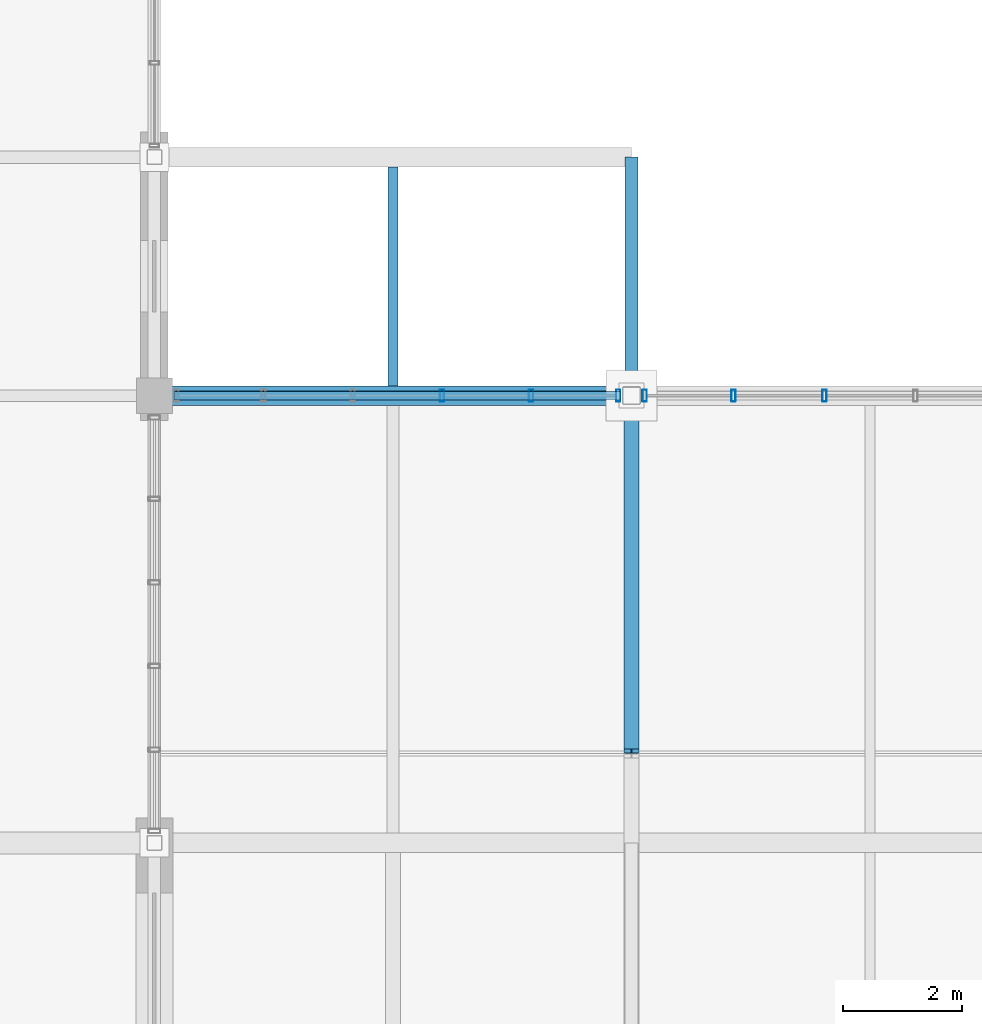
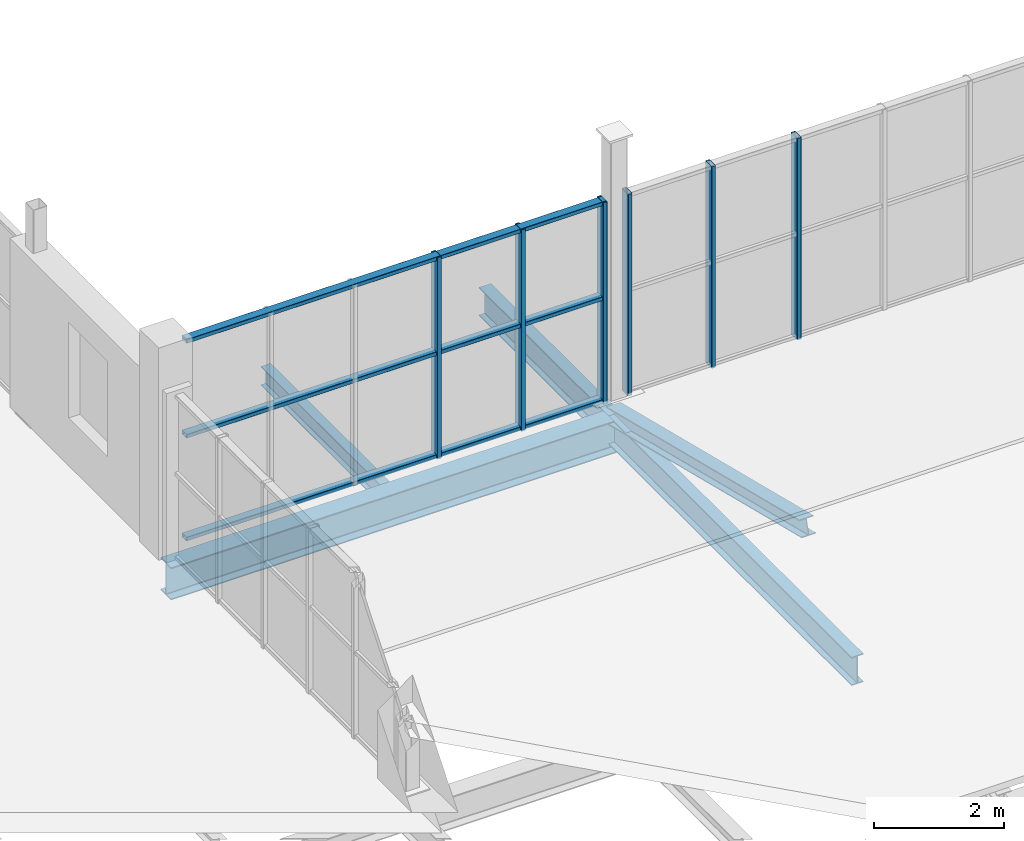
# One storey, part 21 of 96: 10 members, 4 beams, 2 elements without a shape of their own.
"""IFC4 building model written with IfcOpenShell, lengths in metres."""

import ifcopenshell
import ifcopenshell.guid

model = None  # the IFC model being written
_history = None  # IfcOwnerHistory: only IFC2X3 demands one
_inside = {}  # id of a spatial element -> (the spatial element, [elements in it])
_under = {}  # id of a project, library or spatial element -> (it, [spatial elements below it])
_declared = {}  # id of a project -> (the project, [libraries it declares])
_typed = {}  # id of a type object -> (the type object, [elements of that type])
_made_of = {}  # id of a material, layer set ... -> (it, [elements and type objects made of it])


def new_model(schema):
    """Start an empty IFC model of exactly this schema.

    Asked for "IFC4X3", IfcOpenShell would pick the latest addendum, in which some entities
    have other attributes; the version numbers below select the first issue.
    IFC2X3 requires an IfcOwnerHistory on every rooted entity: one is made here for all.
    """
    global model, _history
    if schema == "IFC4X3":
        model = ifcopenshell.file(schema_version=(4, 3, 0, 0))
    else:
        model = ifcopenshell.file(schema=schema)
    _inside.clear()
    _under.clear()
    _declared.clear()
    _typed.clear()
    _made_of.clear()
    _history = None
    if model.schema == "IFC2X3":
        org = make("IfcOrganization", Name="unknown")
        user = make(
            "IfcPersonAndOrganization",
            ThePerson=make("IfcPerson", FamilyName="unknown"),
            TheOrganization=org,
        )
        app = make(
            "IfcApplication",
            ApplicationDeveloper=org,
            Version="unknown",
            ApplicationFullName="unknown",
            ApplicationIdentifier="unknown",
        )
        _history = make(
            "IfcOwnerHistory",
            OwningUser=user,
            OwningApplication=app,
            ChangeAction="ADDED",
            CreationDate=0,
        )
    return model


def make(cls, **values):
    """One entity of the class cls with the attributes given. An attribute that is None is left unset."""
    return model.create_entity(
        cls, **{name: value for name, value in values.items() if value is not None}
    )


def rooted(cls, **values):
    """An entity with a GlobalId (a new one), such as an element, a storey or a relation."""
    return make(cls, GlobalId=ifcopenshell.guid.new(), OwnerHistory=_history, **values)


def si_unit(unit_type, name, prefix=None):
    """IfcSIUnit, for example si_unit("LENGTHUNIT", "METRE", prefix="MILLI")."""
    return make("IfcSIUnit", UnitType=unit_type, Prefix=prefix, Name=name)


def assignment(units):
    """IfcUnitAssignment: the units of a project."""
    return None if units is None else make("IfcUnitAssignment", Units=units)


def point(xyz):
    """IfcCartesianPoint."""
    return None if xyz is None else make("IfcCartesianPoint", Coordinates=xyz)


def direction(xyz):
    """IfcDirection."""
    return None if xyz is None else make("IfcDirection", DirectionRatios=xyz)


def frame(location, z_axis=None, x_axis=None):
    """IfcAxis2Placement3D, a coordinate frame: its origin and axes. An axis left out is left unset."""
    return make(
        "IfcAxis2Placement3D",
        Location=point(location),
        Axis=direction(z_axis),
        RefDirection=direction(x_axis),
    )


def frame_2d(location, x_axis=None):
    """IfcAxis2Placement2D, a coordinate frame in the plane: its origin and x axis."""
    return make(
        "IfcAxis2Placement2D", Location=point(location), RefDirection=direction(x_axis)
    )


def origin():
    """The frame at (0, 0, 0) with its axes left unset."""
    return frame((0.0, 0.0, 0.0))


def origin_2d():
    """The frame at (0, 0) in the plane with its x axis left unset."""
    return frame_2d((0.0, 0.0))


def place(relative_to, where):
    """IfcLocalPlacement: puts the frame where relative to a parent placement (None: the world)."""
    return make(
        "IfcLocalPlacement", PlacementRelTo=relative_to, RelativePlacement=where
    )


def context(
    kind, dimensions, precision=None, world=None, true_north=None, identifier=None
):
    """IfcGeometricRepresentationContext, for example the 3D "Model" context."""
    return make(
        "IfcGeometricRepresentationContext",
        ContextIdentifier=identifier,
        ContextType=kind,
        CoordinateSpaceDimension=dimensions,
        Precision=precision,
        WorldCoordinateSystem=world,
        TrueNorth=true_north,
    )


def subcontext(parent, identifier, kind, view, scale=None):
    """IfcGeometricRepresentationSubContext, for example "Body" below "Model"."""
    return make(
        "IfcGeometricRepresentationSubContext",
        ContextIdentifier=identifier,
        ContextType=kind,
        ParentContext=parent,
        TargetScale=scale,
        TargetView=view,
    )


def project(units=None, contexts=None):
    """IfcProject with its units and contexts."""
    return rooted(
        "IfcProject",
        Name="project",
        RepresentationContexts=contexts,
        UnitsInContext=assignment(units),
    )


def spatial(cls, under=None, at=None, **own):
    """A site, building, storey or space (cls), placed at a placement, below another one or the project."""
    s = rooted(cls, ObjectPlacement=at, **own)
    if under is not None:
        _under.setdefault(under.id(), (under, []))[1].append(s)
    return s


def profile(cls, at=None, kind="AREA", **sizes):
    """A parametric profile (cls). Its sizes go by their IFC names, for example OverallWidth=200.0."""
    return make(cls, ProfileType=kind, Position=at, **sizes)


def hollow_rectangle(**sizes):
    """IfcRectangleHollowProfileDef."""
    return profile("IfcRectangleHollowProfileDef", **sizes)


def i_section(**sizes):
    """IfcIShapeProfileDef."""
    return profile("IfcIShapeProfileDef", **sizes)


def extrude(swept, where, along, depth):
    """IfcExtrudedAreaSolid: the profile swept, set in the frame where, extruded along a direction by depth."""
    return make(
        "IfcExtrudedAreaSolid",
        SweptArea=swept,
        Position=where,
        ExtrudedDirection=direction(along),
        Depth=depth,
    )


def shape(context_of_items, identifier, shape_type, items):
    """IfcShapeRepresentation: the items that make up one representation, for example the "Body"."""
    return make(
        "IfcShapeRepresentation",
        ContextOfItems=context_of_items,
        RepresentationIdentifier=identifier,
        RepresentationType=shape_type,
        Items=items,
    )


def material(Name=None, Category=None):
    """IfcMaterial."""
    return make("IfcMaterial", Name=Name, Category=Category)


def material_profile(
    of_material, cross_section, Name=None, Category=None, Priority=None
):
    """IfcMaterialProfile: a cross section and its material."""
    return make(
        "IfcMaterialProfile",
        Name=Name,
        Material=of_material,
        Profile=cross_section,
        Priority=Priority,
        Category=Category,
    )


def profile_set(profiles, Name=None, composite=None):
    """IfcMaterialProfileSet."""
    return make(
        "IfcMaterialProfileSet",
        Name=Name,
        MaterialProfiles=profiles,
        CompositeProfile=composite,
    )


def made_of(thing, what):
    """Note that an element or type object is made of a material, layer set ...; save() writes the relation."""
    if what is not None:
        _made_of.setdefault(what.id(), (what, []))[1].append(thing)
    return thing


def type_object(cls, material=None, **own):
    """A type object (cls), such as IfcWallType, which elements share."""
    return made_of(rooted(cls, **own), material)


def element(
    cls,
    number,
    at=None,
    inside=None,
    cuts=None,
    type_object=None,
    material=None,
    context=None,
    identifier="Body",
    shape_type=None,
    held_by="IfcProductDefinitionShape",
    body=None,
    shapes=None,
    **own,
):
    """One element of the class cls, such as IfcWall. Its Tag is "e" and its number.

    at: its placement. inside: the storey or other place that contains it. cuts: it is an
    opening in that element (IfcRelVoidsElement). A single representation is given by context,
    identifier, shape_type and body (its items); several are given by shapes. held_by: the class
    of the entity that holds the representations. save() writes the other relations.
    """
    e = rooted(cls, Tag="e%d" % number, ObjectPlacement=at, **own)
    if body is not None:
        shapes = [shape(context, identifier, shape_type, body)]
    if shapes is not None:
        e.Representation = make(held_by, Representations=shapes)
    if inside is not None:
        _inside.setdefault(inside.id(), (inside, []))[1].append(e)
    if cuts is not None:
        rooted(
            "IfcRelVoidsElement", RelatingBuildingElement=cuts, RelatedOpeningElement=e
        )
    if type_object is not None:
        _typed.setdefault(type_object.id(), (type_object, []))[1].append(e)
    return made_of(e, material)


def aggregate(whole, parts):
    """IfcRelAggregates: a whole, such as a stair, and the parts it consists of."""
    return rooted("IfcRelAggregates", RelatingObject=whole, RelatedObjects=parts)


def save(model, path):
    """Write the relations noted so far, then the file.

    IfcRelAggregates (storeys below a building ...), IfcRelContainedInSpatialStructure (elements
    in a storey), IfcRelDefinesByType, IfcRelAssociatesMaterial and IfcRelDeclares: one each for
    every whole, place, type object, material and project.
    """
    for whole, parts in _under.values():
        aggregate(whole, parts)
    for where, things in _inside.values():
        rooted(
            "IfcRelContainedInSpatialStructure",
            RelatedElements=things,
            RelatingStructure=where,
        )
    for kind, things in _typed.values():
        rooted("IfcRelDefinesByType", RelatedObjects=things, RelatingType=kind)
    for what, things in _made_of.values():
        rooted("IfcRelAssociatesMaterial", RelatedObjects=things, RelatingMaterial=what)
    for by, libraries in _declared.values():
        rooted("IfcRelDeclares", RelatingContext=by, RelatedDefinitions=libraries)
    model.write(path)


model = new_model("IFC4")

# Units and contexts
model_context = context("Model", 3, precision=1e-05, world=origin(), true_north=direction((0.0, 1.0)))
body_context = subcontext(model_context, "Body", "Model", "MODEL_VIEW")
ifc_project = project(units=[si_unit("LENGTHUNIT", "METRE"), si_unit("AREAUNIT", "SQUARE_METRE"), si_unit("VOLUMEUNIT", "CUBIC_METRE"), si_unit("PLANEANGLEUNIT", "RADIAN"), si_unit("MASSUNIT", "GRAM", prefix="KILO")], contexts=[model_context])

# Site, building, storey
site_placement = place(None, origin())
site = spatial("IfcSite", under=ifc_project, at=site_placement, CompositionType="ELEMENT")
building_placement = place(site_placement, origin())
building = spatial("IfcBuilding", under=site, at=building_placement, Name="Verrall Gate Interchange", CompositionType="ELEMENT")
storey_placement = place(building_placement, frame((0.0, 0.0, 11.39990234375)))
storey = spatial("IfcBuildingStorey", under=building, at=storey_placement, Name="L03", CompositionType="ELEMENT", Elevation=11.39990234375)

# Beams
ifc_material_1 = material(Name="Structural Steel CSA G40.21 350WT Cat 4", Category="steel")
ifc_material_profile_1 = material_profile(ifc_material_1, i_section(OverallWidth=0.323974609375, OverallDepth=0.611083984375, WebThickness=0.0126953125, FlangeThickness=0.01904296875, FilletRadius=0.014892578125, at=origin_2d()), Name="W610x155")
ifc_profile_set_1 = profile_set([ifc_material_profile_1], Name="Structural Steel CSA G40.21 350WT Cat 4")
beam_type_1 = type_object("IfcBeamType", Name="B-08 Structural Beam W610x155", PredefinedType="BEAM", material=ifc_profile_set_1)
beam_1_placement = place(storey_placement, frame((36.0, 12.0, -0.635498046875), z_axis=(1.0, 0.0, 0.0), x_axis=(0.0, 1.0, 0.0)))
element("IfcBeam", 1, at=beam_1_placement, inside=storey, type_object=beam_type_1, Name="L03 Girder BM-L03-2012 (B-08)", PredefinedType="BEAM", context=body_context, shape_type="SweptSolid", body=[
    extrude(i_section(OverallWidth=0.323974609375, OverallDepth=0.611083984375, WebThickness=0.0126953125, FlangeThickness=0.01904296875, FilletRadius=0.014892578125, at=origin_2d()), origin(), (0.0, 0.0, 1.0), 8.0),
])
ifc_material_2 = material(Name="Structural Steel CSA G40.21 350W", Category="steel")
ifc_material_profile_2 = material_profile(ifc_material_2, i_section(OverallWidth=0.2109375, OverallDepth=0.5390625, WebThickness=0.01171875, FlangeThickness=0.018798828125, FilletRadius=0.013916015625, at=origin_2d()), Name="W530x109")
ifc_profile_set_2 = profile_set([ifc_material_profile_2], Name="Structural Steel CSA G40.21 350W")
beam_type_2 = type_object("IfcBeamType", Name="B-10 Structural Beam W530x109", PredefinedType="BEAM", material=ifc_profile_set_2)
beam_2_placement = place(storey_placement, frame((44.0, 4.5, -0.599365234375), z_axis=(0.0, 1.0, 0.0), x_axis=(-1.0, 0.0, 0.0)))
element("IfcBeam", 2, at=beam_2_placement, inside=storey, type_object=beam_type_2, Name="L03 Girder BM-L03-2273 (B-10)", PredefinedType="BEAM", context=body_context, shape_type="SweptSolid", body=[
    extrude(i_section(OverallWidth=0.2109375, OverallDepth=0.5390625, WebThickness=0.01171875, FlangeThickness=0.018798828125, FilletRadius=0.013916015625, at=origin_2d()), origin(), (0.0, 0.0, 1.0), 7.5),
])
beam_3_placement = place(storey_placement, frame((44.0, 12.0, -0.599365234375), z_axis=(0.0, 1.0, 0.0), x_axis=(-1.0, 0.0, 0.0)))
element("IfcBeam", 3, at=beam_3_placement, inside=storey, type_object=beam_type_2, Name="L03 Girder BM-L03-2274 (B-10)", PredefinedType="BEAM", context=body_context, shape_type="SweptSolid", body=[
    extrude(i_section(OverallWidth=0.2109375, OverallDepth=0.5390625, WebThickness=0.01171875, FlangeThickness=0.018798828125, FilletRadius=0.013916015625, at=origin_2d()), origin(), (0.0, 0.0, 1.0), 4.0),
])

# Curtain wall, members
ifc_material_3 = material(Name="Thermally Broken Anodized Aluminium Curtain Wall Framing", Category="aluminium")
curtain_wall_type_1 = type_object("IfcCurtainWallType", Name="CW-52 Unitized Curtain Wall 7484x3800", PredefinedType="NOTDEFINED", material=ifc_material_3)
curtain_wall_1_placement = place(storey_placement, origin())
curtain_wall_1 = element("IfcCurtainWall", 4, at=curtain_wall_1_placement, inside=storey, type_object=curtain_wall_type_1, Name="L03 Unitized Curtain Wall CW-L03-CLR-164", PredefinedType="NOTDEFINED")
ifc_material_4 = material(Name="Thermally Broken Anodized Aluminium Curtain Wall Framing", Category="aluminium")
ifc_material_profile_3 = material_profile(ifc_material_4, hollow_rectangle(XDim=0.074951171875, YDim=0.199951171875, WallThickness=0.0048828125, InnerFilletRadius=0.0048828125, OuterFilletRadius=0.010009765625, at=origin_2d()), Name="CWM200x75x5")
ifc_profile_set_3 = profile_set([ifc_material_profile_3], Name="Thermally Broken Anodized Aluminium Curtain Wall Framing")
member_type_1 = type_object("IfcMemberType", Name="CM-02 Curtain Mullion CWM200x75x5", PredefinedType="MULLION", material=ifc_profile_set_3)
member_1_placement = place(storey_placement, frame((40.822021484375, 12.0, 0.0), z_axis=(0.0, 0.0, 1.0), x_axis=(1.0, 0.0, 0.0)))
member_1 = element("IfcMember", 5, at=member_1_placement, type_object=member_type_1, Name="CW-L03-CLR-164 Mullion 4", PredefinedType="MULLION", context=body_context, shape_type="SweptSolid", body=[
    extrude(hollow_rectangle(XDim=0.074951171875, YDim=0.199951171875, WallThickness=0.0048828125, InnerFilletRadius=0.0048828125, OuterFilletRadius=0.010009765625, at=origin_2d()), origin(), (0.0, 0.0, 1.0), 3.800048828125),
])
member_2_placement = place(storey_placement, frame((42.31884765625, 12.0, 0.0), z_axis=(0.0, 0.0, 1.0), x_axis=(1.0, 0.0, 0.0)))
member_2 = element("IfcMember", 6, at=member_2_placement, type_object=member_type_1, Name="CW-L03-CLR-164 Mullion 5", PredefinedType="MULLION", context=body_context, shape_type="SweptSolid", body=[
    extrude(hollow_rectangle(XDim=0.074951171875, YDim=0.199951171875, WallThickness=0.0048828125, InnerFilletRadius=0.0048828125, OuterFilletRadius=0.010009765625, at=origin_2d()), origin(), (0.0, 0.0, 1.0), 3.800048828125),
])
member_3_placement = place(storey_placement, frame((43.778076171875, 12.0, 0.0), z_axis=(0.0, 0.0, 1.0), x_axis=(1.0, 0.0, 0.0)))
member_3 = element("IfcMember", 7, at=member_3_placement, type_object=member_type_1, Name="CW-L03-CLR-164 Mullion 6", PredefinedType="MULLION", context=body_context, shape_type="SweptSolid", body=[
    extrude(hollow_rectangle(XDim=0.074951171875, YDim=0.199951171875, WallThickness=0.0048828125, InnerFilletRadius=0.0048828125, OuterFilletRadius=0.010009765625, at=origin_2d()), origin(), (0.0, 0.0, 1.0), 3.800048828125),
])

ifc_material_5 = material(Name="Thermally Broken Anodized Aluminium Curtain Wall Framing", Category="aluminium")
curtain_wall_type_2 = type_object("IfcCurtainWallType", Name="CW-53 Unitized Curtain Wall 7631x3800", PredefinedType="NOTDEFINED", material=ifc_material_5)
curtain_wall_2_placement = place(storey_placement, origin())
curtain_wall_2 = element("IfcCurtainWall", 8, at=curtain_wall_2_placement, inside=storey, type_object=curtain_wall_type_2, Name="L03 Unitized Curtain Wall CW-L03-CLR-165", PredefinedType="NOTDEFINED")
member_4_placement = place(storey_placement, frame((44.221923828125, 12.0, 0.0), z_axis=(0.0, 0.0, 1.0), x_axis=(1.0, 0.0, 0.0)))
member_4 = element("IfcMember", 9, at=member_4_placement, type_object=member_type_1, Name="CW-L03-CLR-165 Mullion 1", PredefinedType="MULLION", context=body_context, shape_type="SweptSolid", body=[
    extrude(hollow_rectangle(XDim=0.074951171875, YDim=0.199951171875, WallThickness=0.0048828125, InnerFilletRadius=0.0048828125, OuterFilletRadius=0.010009765625, at=origin_2d()), origin(), (0.0, 0.0, 1.0), 3.800048828125),
])
member_5_placement = place(storey_placement, frame((45.710693359375, 12.0, 0.0), z_axis=(0.0, 0.0, 1.0), x_axis=(1.0, 0.0, 0.0)))
member_5 = element("IfcMember", 10, at=member_5_placement, type_object=member_type_1, Name="CW-L03-CLR-165 Mullion 2", PredefinedType="MULLION", context=body_context, shape_type="SweptSolid", body=[
    extrude(hollow_rectangle(XDim=0.074951171875, YDim=0.199951171875, WallThickness=0.0048828125, InnerFilletRadius=0.0048828125, OuterFilletRadius=0.010009765625, at=origin_2d()), origin(), (0.0, 0.0, 1.0), 3.800048828125),
])
member_6_placement = place(storey_placement, frame((47.23681640625, 12.0, 0.0), z_axis=(0.0, 0.0, 1.0), x_axis=(1.0, 0.0, 0.0)))
member_6 = element("IfcMember", 11, at=member_6_placement, type_object=member_type_1, Name="CW-L03-CLR-165 Mullion 3", PredefinedType="MULLION", context=body_context, shape_type="SweptSolid", body=[
    extrude(hollow_rectangle(XDim=0.074951171875, YDim=0.199951171875, WallThickness=0.0048828125, InnerFilletRadius=0.0048828125, OuterFilletRadius=0.010009765625, at=origin_2d()), origin(), (0.0, 0.0, 1.0), 3.800048828125),
])
aggregate(curtain_wall_2, [member_4, member_5, member_6])

# Member
ifc_material_6 = material(Name="Thermally Broken Anodized Aluminium Curtain Wall Framing", Category="aluminium")
ifc_material_profile_4 = material_profile(ifc_material_6, hollow_rectangle(XDim=0.14990234375, YDim=0.074951171875, WallThickness=0.00439453125, InnerFilletRadius=0.00439453125, OuterFilletRadius=0.009033203125, at=origin_2d()), Name="CWT150x75x4.5")
ifc_profile_set_4 = profile_set([ifc_material_profile_4], Name="Thermally Broken Anodized Aluminium Curtain Wall Framing")
member_type_2 = type_object("IfcMemberType", Name="CT-02 Curtain Transom CWT150x75x4.5", PredefinedType="USERDEFINED", material=ifc_profile_set_4)
member_7_placement = place(storey_placement, frame((36.33203125, 12.0, 0.03759765625), z_axis=(1.0, 0.0, 0.0), x_axis=(0.0, 1.0, 0.0)))
member_7 = element("IfcMember", 12, at=member_7_placement, type_object=member_type_2, Name="CW-L03-CLR-164 Transom 1", ObjectType="TRANSOM", PredefinedType="USERDEFINED", context=body_context, shape_type="SweptSolid", body=[
    extrude(hollow_rectangle(XDim=0.14990234375, YDim=0.074951171875, WallThickness=0.00439453125, InnerFilletRadius=0.00439453125, OuterFilletRadius=0.009033203125, at=origin_2d()), origin(), (0.0, 0.0, 1.0), 7.4833984375),
])

member_8_placement = place(storey_placement, frame((36.33203125, 12.0, 1.97607421875), z_axis=(1.0, 0.0, 0.0), x_axis=(0.0, 1.0, 0.0)))
member_8 = element("IfcMember", 13, at=member_8_placement, type_object=member_type_2, Name="CW-L03-CLR-164 Transom 2", ObjectType="TRANSOM", PredefinedType="USERDEFINED", context=body_context, shape_type="SweptSolid", body=[
    extrude(hollow_rectangle(XDim=0.14990234375, YDim=0.074951171875, WallThickness=0.00439453125, InnerFilletRadius=0.00439453125, OuterFilletRadius=0.009033203125, at=origin_2d()), origin(), (0.0, 0.0, 1.0), 7.4833984375),
])

member_9_placement = place(storey_placement, frame((36.33203125, 12.0, 3.7626953125), z_axis=(1.0, 0.0, 0.0), x_axis=(0.0, 1.0, 0.0)))
member_9 = element("IfcMember", 14, at=member_9_placement, type_object=member_type_2, Name="CW-L03-CLR-164 Transom 3", ObjectType="TRANSOM", PredefinedType="USERDEFINED", context=body_context, shape_type="SweptSolid", body=[
    extrude(hollow_rectangle(XDim=0.14990234375, YDim=0.074951171875, WallThickness=0.00439453125, InnerFilletRadius=0.00439453125, OuterFilletRadius=0.009033203125, at=origin_2d()), origin(), (0.0, 0.0, 1.0), 7.4833984375),
])

aggregate(curtain_wall_1, [member_1, member_2, member_3, member_7, member_8, member_9])

# Beam
ifc_material_7 = material(Name="Structural Steel CSA G40.21 350W", Category="steel")
ifc_material_profile_5 = material_profile(ifc_material_7, i_section(OverallWidth=0.172119140625, OverallDepth=0.35791015625, WebThickness=0.0078125, FlangeThickness=0.01318359375, FilletRadius=0.010986328125, at=origin_2d()), Name="W360x57")
ifc_profile_set_5 = profile_set([ifc_material_profile_5], Name="Structural Steel CSA G40.21 350W")
beam_type_3 = type_object("IfcBeamType", Name="J-01 Floor Joist W360x57", PredefinedType="JOIST", material=ifc_profile_set_5)
beam_4_placement = place(storey_placement, frame((40.0, 12.162109375, -0.5087890625), z_axis=(0.0, 1.0, 0.0), x_axis=(-1.0, 0.0, 0.0)))
element("IfcBeam", 15, at=beam_4_placement, inside=storey, type_object=beam_type_3, Name="L03 Secondary Floor Joist JST-L03-2411", PredefinedType="JOIST", context=body_context, shape_type="SweptSolid", body=[
    extrude(i_section(OverallWidth=0.172119140625, OverallDepth=0.35791015625, WebThickness=0.0078125, FlangeThickness=0.01318359375, FilletRadius=0.010986328125, at=origin_2d()), origin(), (0.0, 0.0, 1.0), 3.67578125),
])

# Member
ifc_material_8 = material(Name="Structural Steel CSA G40.21 350WT Cat 4", Category="steel")
ifc_material_profile_6 = material_profile(ifc_material_8, i_section(OverallWidth=0.25390625, OverallDepth=0.305908203125, WebThickness=0.0087890625, FlangeThickness=0.0146484375, FilletRadius=0.012939453125, at=origin_2d()), Name="W310x79")
ifc_profile_set_6 = profile_set([ifc_material_profile_6], Name="Structural Steel CSA G40.21 350WT Cat 4")
member_type_3 = type_object("IfcMemberType", Name="RF-03 Folded Roof Rafter W310x79", PredefinedType="RAFTER", material=ifc_profile_set_6)
member_10_placement = place(storey_placement, frame((44.0, 12.0, -0.31982421875), z_axis=(0.0, -0.970524816174, 0.241001205786), x_axis=(1.0, 0.0, 0.0)))
element("IfcMember", 16, at=member_10_placement, inside=storey, type_object=member_type_3, Name="Portico Roof Rafter N 44", PredefinedType="RAFTER", context=body_context, shape_type="SweptSolid", body=[
    extrude(i_section(OverallWidth=0.25390625, OverallDepth=0.305908203125, WebThickness=0.0087890625, FlangeThickness=0.0146484375, FilletRadius=0.012939453125, at=origin_2d()), origin(), (0.0, 0.0, 1.0), 6.140869140625),
])

save(model, "model.ifc")
